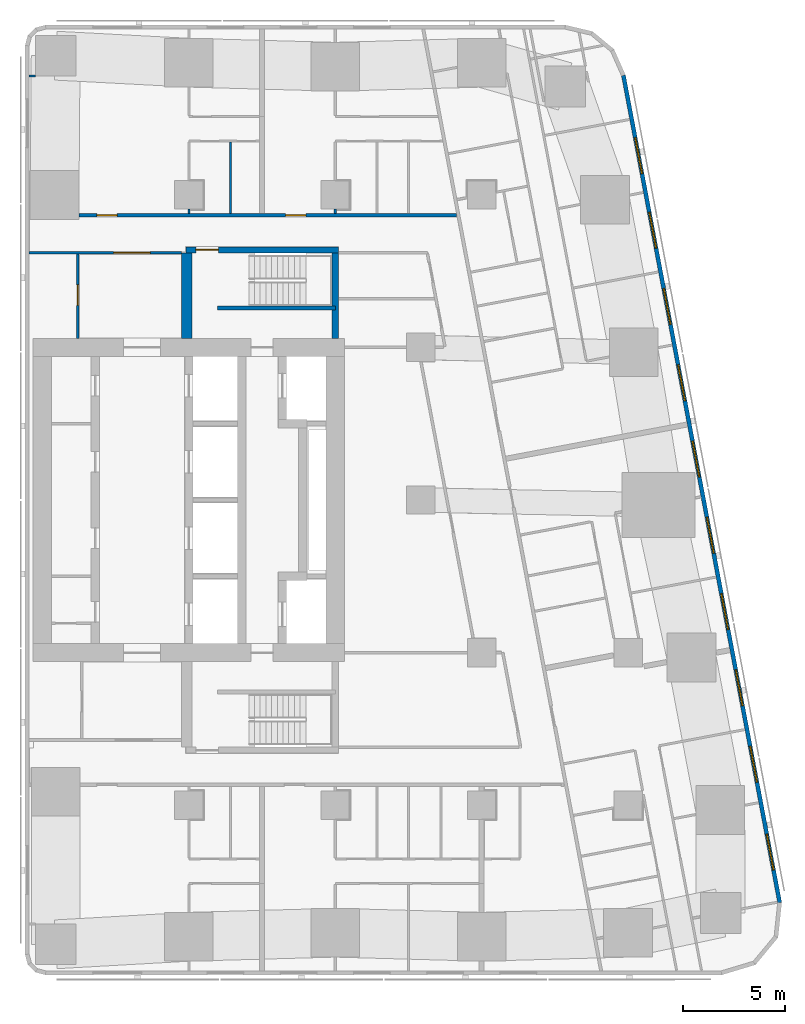
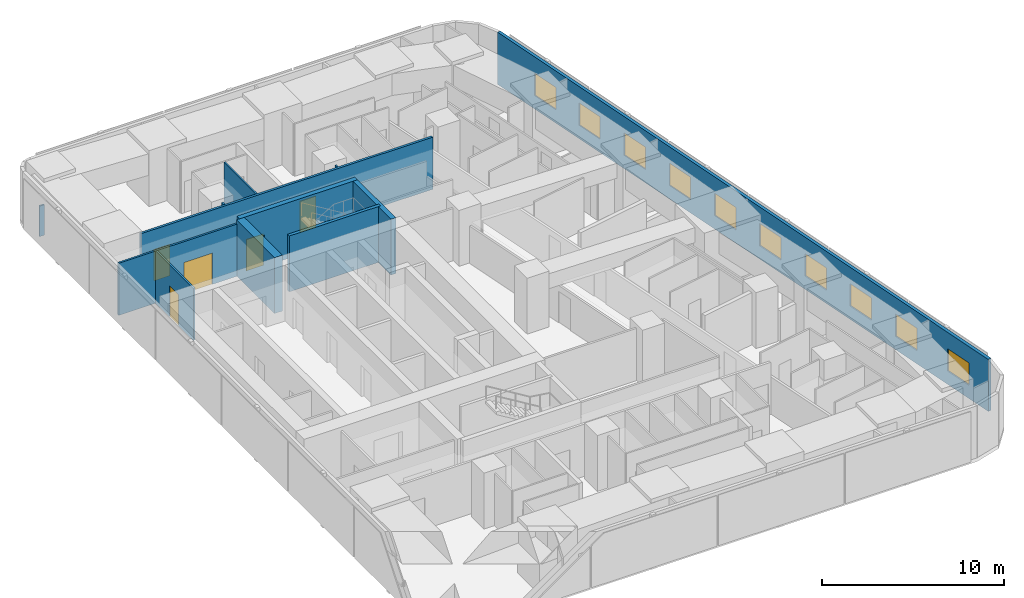
# One storey, part 6 of 10: 12 walls, 10 windows, 5 doors, 15 openings.
"""IFC4 building model written with IfcOpenShell, lengths in metres."""

from ifc_helpers import new_model, si_unit, direction, frame, frame_2d, origin, place, context, subcontext, project, spatial, rectangle, extrude, material, layer, layer_set, type_object, element, fill, save


model = new_model("IFC4")

# Units and contexts
model_context = context("Model", 3, precision=1e-05, world=origin(), true_north=direction((0.0, 1.0)))
body_context = subcontext(model_context, "Body", "Model", "MODEL_VIEW")
ifc_project = project(units=[si_unit("LENGTHUNIT", "METRE"), si_unit("AREAUNIT", "SQUARE_METRE"), si_unit("VOLUMEUNIT", "CUBIC_METRE"), si_unit("PLANEANGLEUNIT", "RADIAN"), si_unit("MASSUNIT", "GRAM", prefix="KILO")], contexts=[model_context])

# Site, building, storey
site_placement = place(None, origin())
site = spatial("IfcSite", under=ifc_project, at=site_placement, CompositionType="ELEMENT")
building_placement = place(site_placement, origin())
building = spatial("IfcBuilding", under=site, at=building_placement, Name="Sheger Commons Tower", CompositionType="ELEMENT")
storey_placement = place(building_placement, frame((0.0, 0.0, 231.199951171875)))
storey = spatial("IfcBuildingStorey", under=building, at=storey_placement, Name="L59", CompositionType="ELEMENT", Elevation=231.199951171875)

# Wall, openings, doors
ifc_material_1 = material(Name="Hollow concrete block masonry, skimmed both sides", Category="masonry")
ifc_layer_1 = layer(ifc_material_1, 0.14990234375)
ifc_layer_set_1 = layer_set([ifc_layer_1], Name="CORRIDOR WALL 150")
wall_type_1 = type_object("IfcWallType", Name="CORRIDOR WALL 150", PredefinedType="SOLIDWALL", material=ifc_layer_set_1)
wall_1_placement = place(storey_placement, frame((16.200927734375, 36.5, 0.0), z_axis=(0.0, 0.0, 1.0), x_axis=(1.0, 0.0, 0.0)))
wall_1 = element("IfcWall", 1, at=wall_1_placement, inside=storey, type_object=wall_type_1, Name="Corridor wall L59", PredefinedType="SOLIDWALL", context=body_context, shape_type="SweptSolid", body=[
    extrude(rectangle(XDim=18.56396484375, YDim=0.14990234375, at=frame_2d((9.281982421875, 0.0))), origin(), (0.0, 0.0, 1.0), 3.5),
])
opening_1_placement = place(wall_1_placement, frame((0.8740234375, 0.0, 0.0)))
opening_1 = element("IfcOpeningElement", 2, at=opening_1_placement, cuts=wall_1, Name="Opening D1", PredefinedType="OPENING", context=body_context, shape_type="SweptSolid", body=[
    extrude(rectangle(XDim=1.0, YDim=2.10009765625, at=frame_2d((0.5, 1.050048828125))), frame((0.0, 0.0849609375, 0.0), z_axis=(0.0, -1.0, 0.0), x_axis=(1.0, 0.0, 0.0)), (0.0, 0.0, 1.0), 0.169921875),
])
opening_2_placement = place(wall_1_placement, frame((10.156005859375, 0.0, 0.0)))
opening_2 = element("IfcOpeningElement", 3, at=opening_2_placement, cuts=wall_1, Name="Opening D1", PredefinedType="OPENING", context=body_context, shape_type="SweptSolid", body=[
    extrude(rectangle(XDim=1.0, YDim=2.10009765625, at=frame_2d((0.5, 1.050048828125))), frame((0.0, 0.0849609375, 0.0), z_axis=(0.0, -1.0, 0.0), x_axis=(1.0, 0.0, 0.0)), (0.0, 0.0, 1.0), 0.169921875),
])
ifc_material_2 = material(Name="Steel door set, fire rated", Category="steel")
door_type_1 = type_object("IfcDoorType", Name="FLAT ENTRANCE DOOR 1000x2100", OperationType="NOTDEFINED", PredefinedType="DOOR", material=ifc_material_2)
door_1_placement = place(opening_1_placement, origin())
door_1 = element("IfcDoor", 4, at=door_1_placement, inside=storey, type_object=door_type_1, Name="Flat entrance door", OperationType="SINGLE_SWING_LEFT", OverallHeight=2.10009765625, OverallWidth=1.0, PredefinedType="DOOR", context=body_context, shape_type="SweptSolid", body=[
    extrude(rectangle(XDim=1.0, YDim=2.10009765625, at=frame_2d((0.5, 1.050048828125))), frame((0.0, 0.02490234375, 0.0), z_axis=(0.0, -1.0, 0.0), x_axis=(1.0, 0.0, 0.0)), (0.0, 0.0, 1.0), 0.050048828125),
])
fill(opening_1, door_1)
door_2_placement = place(opening_2_placement, origin())
door_2 = element("IfcDoor", 5, at=door_2_placement, inside=storey, type_object=door_type_1, Name="Flat entrance door", OperationType="SINGLE_SWING_LEFT", OverallHeight=2.10009765625, OverallWidth=1.0, PredefinedType="DOOR", context=body_context, shape_type="SweptSolid", body=[
    extrude(rectangle(XDim=1.0, YDim=2.10009765625, at=frame_2d((0.5, 1.050048828125))), frame((0.0, 0.02490234375, 0.0), z_axis=(0.0, -1.0, 0.0), x_axis=(1.0, 0.0, 0.0)), (0.0, 0.0, 1.0), 0.050048828125),
])
fill(opening_2, door_2)

# Wall, openings, windows
ifc_material_3 = material(Name="Rendered concrete block masonry, dark grey", Category="masonry")
ifc_layer_2 = layer(ifc_material_3, 0.199951171875)
ifc_layer_set_2 = layer_set([ifc_layer_2], Name="FACADE WALL 200")
wall_type_2 = type_object("IfcWallType", Name="FACADE WALL 200", PredefinedType="SOLIDWALL", material=ifc_layer_set_2)
wall_2_placement = place(storey_placement, frame((50.653076171875, 2.702880859375, 0.0), z_axis=(0.0, 0.0, 1.0), x_axis=(-0.185612026696, 0.982623109613, 0.0)))
wall_2 = element("IfcWall", 6, at=wall_2_placement, inside=storey, type_object=wall_type_2, Name="Facade wall L59", PredefinedType="SOLIDWALL", context=body_context, shape_type="SweptSolid", body=[
    extrude(rectangle(XDim=41.393310546875, YDim=0.199951171875, at=frame_2d((20.69677734375, 0.0))), origin(), (0.0, 0.0, 1.0), 3.5),
])
opening_3_placement = place(wall_2_placement, frame((1.633056640625, 0.0, 0.89990234375)))
opening_3 = element("IfcOpeningElement", 7, at=opening_3_placement, cuts=wall_2, Name="Opening W2", PredefinedType="OPENING", context=body_context, shape_type="SweptSolid", body=[
    extrude(rectangle(XDim=1.800048828125, YDim=1.5, at=frame_2d((0.89990234375, 0.75))), frame((0.0, 0.10986328125, 0.0), z_axis=(0.0, -1.0, 0.0), x_axis=(1.0, 0.0, 0.0)), (0.0, 0.0, 1.0), 0.219970703125),
])
opening_4_placement = place(wall_2_placement, frame((6.031982421875, 0.0, 0.89990234375)))
opening_4 = element("IfcOpeningElement", 8, at=opening_4_placement, cuts=wall_2, Name="Opening W2", PredefinedType="OPENING", context=body_context, shape_type="SweptSolid", body=[
    extrude(rectangle(XDim=1.800048828125, YDim=1.5, at=frame_2d((0.89990234375, 0.75))), frame((0.0, 0.10986328125, 0.0), z_axis=(0.0, -1.0, 0.0), x_axis=(1.0, 0.0, 0.0)), (0.0, 0.0, 1.0), 0.219970703125),
])
opening_5_placement = place(wall_2_placement, frame((9.847900390625, 0.0, 0.89990234375)))
opening_5 = element("IfcOpeningElement", 9, at=opening_5_placement, cuts=wall_2, Name="Opening W2", PredefinedType="OPENING", context=body_context, shape_type="SweptSolid", body=[
    extrude(rectangle(XDim=1.800048828125, YDim=1.5, at=frame_2d((0.89990234375, 0.75))), frame((0.0, 0.10986328125, 0.0), z_axis=(0.0, -1.0, 0.0), x_axis=(1.0, 0.0, 0.0)), (0.0, 0.0, 1.0), 0.219970703125),
])
opening_6_placement = place(wall_2_placement, frame((13.6640625, 0.0, 0.89990234375)))
opening_6 = element("IfcOpeningElement", 10, at=opening_6_placement, cuts=wall_2, Name="Opening W2", PredefinedType="OPENING", context=body_context, shape_type="SweptSolid", body=[
    extrude(rectangle(XDim=1.800048828125, YDim=1.5, at=frame_2d((0.89990234375, 0.75))), frame((0.0, 0.10986328125, 0.0), z_axis=(0.0, -1.0, 0.0), x_axis=(1.0, 0.0, 0.0)), (0.0, 0.0, 1.0), 0.219970703125),
])
opening_7_placement = place(wall_2_placement, frame((17.48095703125, 0.0, 0.89990234375)))
opening_7 = element("IfcOpeningElement", 11, at=opening_7_placement, cuts=wall_2, Name="Opening W2", PredefinedType="OPENING", context=body_context, shape_type="SweptSolid", body=[
    extrude(rectangle(XDim=1.800048828125, YDim=1.5, at=frame_2d((0.89990234375, 0.75))), frame((0.0, 0.10986328125, 0.0), z_axis=(0.0, -1.0, 0.0), x_axis=(1.0, 0.0, 0.0)), (0.0, 0.0, 1.0), 0.219970703125),
])
opening_8_placement = place(wall_2_placement, frame((21.297119140625, 0.0, 0.89990234375)))
opening_8 = element("IfcOpeningElement", 12, at=opening_8_placement, cuts=wall_2, Name="Opening W2", PredefinedType="OPENING", context=body_context, shape_type="SweptSolid", body=[
    extrude(rectangle(XDim=1.800048828125, YDim=1.5, at=frame_2d((0.89990234375, 0.75))), frame((0.0, 0.10986328125, 0.0), z_axis=(0.0, -1.0, 0.0), x_axis=(1.0, 0.0, 0.0)), (0.0, 0.0, 1.0), 0.219970703125),
])
opening_9_placement = place(wall_2_placement, frame((25.113037109375, 0.0, 0.89990234375)))
opening_9 = element("IfcOpeningElement", 13, at=opening_9_placement, cuts=wall_2, Name="Opening W2", PredefinedType="OPENING", context=body_context, shape_type="SweptSolid", body=[
    extrude(rectangle(XDim=1.800048828125, YDim=1.5, at=frame_2d((0.89990234375, 0.75))), frame((0.0, 0.10986328125, 0.0), z_axis=(0.0, -1.0, 0.0), x_axis=(1.0, 0.0, 0.0)), (0.0, 0.0, 1.0), 0.219970703125),
])
opening_10_placement = place(wall_2_placement, frame((28.929931640625, 0.0, 0.89990234375)))
opening_10 = element("IfcOpeningElement", 14, at=opening_10_placement, cuts=wall_2, Name="Opening W2", PredefinedType="OPENING", context=body_context, shape_type="SweptSolid", body=[
    extrude(rectangle(XDim=1.800048828125, YDim=1.5, at=frame_2d((0.89990234375, 0.75))), frame((0.0, 0.10986328125, 0.0), z_axis=(0.0, -1.0, 0.0), x_axis=(1.0, 0.0, 0.0)), (0.0, 0.0, 1.0), 0.219970703125),
])
opening_11_placement = place(wall_2_placement, frame((32.74609375, 0.0, 0.89990234375)))
opening_11 = element("IfcOpeningElement", 15, at=opening_11_placement, cuts=wall_2, Name="Opening W2", PredefinedType="OPENING", context=body_context, shape_type="SweptSolid", body=[
    extrude(rectangle(XDim=1.800048828125, YDim=1.5, at=frame_2d((0.89990234375, 0.75))), frame((0.0, 0.10986328125, 0.0), z_axis=(0.0, -1.0, 0.0), x_axis=(1.0, 0.0, 0.0)), (0.0, 0.0, 1.0), 0.219970703125),
])
opening_12_placement = place(wall_2_placement, frame((36.48095703125, 0.0, 0.89990234375)))
opening_12 = element("IfcOpeningElement", 16, at=opening_12_placement, cuts=wall_2, Name="Opening W2", PredefinedType="OPENING", context=body_context, shape_type="SweptSolid", body=[
    extrude(rectangle(XDim=1.800048828125, YDim=1.5, at=frame_2d((0.89990234375, 0.75))), frame((0.0, 0.10986328125, 0.0), z_axis=(0.0, -1.0, 0.0), x_axis=(1.0, 0.0, 0.0)), (0.0, 0.0, 1.0), 0.219970703125),
])
ifc_material_4 = material(Name="Black aluminium frame, dark tinted double glazing", Category="aluminium")
window_type = type_object("IfcWindowType", Name="WINDOW W2 1800x1500", PartitioningType="SINGLE_PANEL", PredefinedType="WINDOW", material=ifc_material_4)
window_1_placement = place(opening_3_placement, origin())
window_1 = element("IfcWindow", 17, at=window_1_placement, inside=storey, type_object=window_type, Name="Window W2 1800X1500", OverallHeight=1.5, OverallWidth=1.800048828125, PartitioningType="SINGLE_PANEL", PredefinedType="WINDOW", context=body_context, shape_type="SweptSolid", body=[
    extrude(rectangle(XDim=1.800048828125, YDim=1.5, at=frame_2d((0.89990234375, 0.75))), frame((0.0, 0.030029296875, 0.0), z_axis=(0.0, -1.0, 0.0), x_axis=(1.0, 0.0, 0.0)), (0.0, 0.0, 1.0), 0.06005859375),
])
fill(opening_3, window_1)
window_2_placement = place(opening_4_placement, origin())
window_2 = element("IfcWindow", 18, at=window_2_placement, inside=storey, type_object=window_type, Name="Window W2 1800X1500", OverallHeight=1.5, OverallWidth=1.800048828125, PartitioningType="SINGLE_PANEL", PredefinedType="WINDOW", context=body_context, shape_type="SweptSolid", body=[
    extrude(rectangle(XDim=1.800048828125, YDim=1.5, at=frame_2d((0.89990234375, 0.75))), frame((0.0, 0.030029296875, 0.0), z_axis=(0.0, -1.0, 0.0), x_axis=(1.0, 0.0, 0.0)), (0.0, 0.0, 1.0), 0.06005859375),
])
fill(opening_4, window_2)
window_3_placement = place(opening_5_placement, origin())
window_3 = element("IfcWindow", 19, at=window_3_placement, inside=storey, type_object=window_type, Name="Window W2 1800X1500", OverallHeight=1.5, OverallWidth=1.800048828125, PartitioningType="SINGLE_PANEL", PredefinedType="WINDOW", context=body_context, shape_type="SweptSolid", body=[
    extrude(rectangle(XDim=1.800048828125, YDim=1.5, at=frame_2d((0.89990234375, 0.75))), frame((0.0, 0.030029296875, 0.0), z_axis=(0.0, -1.0, 0.0), x_axis=(1.0, 0.0, 0.0)), (0.0, 0.0, 1.0), 0.06005859375),
])
fill(opening_5, window_3)
window_4_placement = place(opening_6_placement, origin())
window_4 = element("IfcWindow", 20, at=window_4_placement, inside=storey, type_object=window_type, Name="Window W2 1800X1500", OverallHeight=1.5, OverallWidth=1.800048828125, PartitioningType="SINGLE_PANEL", PredefinedType="WINDOW", context=body_context, shape_type="SweptSolid", body=[
    extrude(rectangle(XDim=1.800048828125, YDim=1.5, at=frame_2d((0.89990234375, 0.75))), frame((0.0, 0.030029296875, 0.0), z_axis=(0.0, -1.0, 0.0), x_axis=(1.0, 0.0, 0.0)), (0.0, 0.0, 1.0), 0.06005859375),
])
fill(opening_6, window_4)
window_5_placement = place(opening_7_placement, origin())
window_5 = element("IfcWindow", 21, at=window_5_placement, inside=storey, type_object=window_type, Name="Window W2 1800X1500", OverallHeight=1.5, OverallWidth=1.800048828125, PartitioningType="SINGLE_PANEL", PredefinedType="WINDOW", context=body_context, shape_type="SweptSolid", body=[
    extrude(rectangle(XDim=1.800048828125, YDim=1.5, at=frame_2d((0.89990234375, 0.75))), frame((0.0, 0.030029296875, 0.0), z_axis=(0.0, -1.0, 0.0), x_axis=(1.0, 0.0, 0.0)), (0.0, 0.0, 1.0), 0.06005859375),
])
fill(opening_7, window_5)
window_6_placement = place(opening_8_placement, origin())
window_6 = element("IfcWindow", 22, at=window_6_placement, inside=storey, type_object=window_type, Name="Window W2 1800X1500", OverallHeight=1.5, OverallWidth=1.800048828125, PartitioningType="SINGLE_PANEL", PredefinedType="WINDOW", context=body_context, shape_type="SweptSolid", body=[
    extrude(rectangle(XDim=1.800048828125, YDim=1.5, at=frame_2d((0.89990234375, 0.75))), frame((0.0, 0.030029296875, 0.0), z_axis=(0.0, -1.0, 0.0), x_axis=(1.0, 0.0, 0.0)), (0.0, 0.0, 1.0), 0.06005859375),
])
fill(opening_8, window_6)
window_7_placement = place(opening_9_placement, origin())
window_7 = element("IfcWindow", 23, at=window_7_placement, inside=storey, type_object=window_type, Name="Window W2 1800X1500", OverallHeight=1.5, OverallWidth=1.800048828125, PartitioningType="SINGLE_PANEL", PredefinedType="WINDOW", context=body_context, shape_type="SweptSolid", body=[
    extrude(rectangle(XDim=1.800048828125, YDim=1.5, at=frame_2d((0.89990234375, 0.75))), frame((0.0, 0.030029296875, 0.0), z_axis=(0.0, -1.0, 0.0), x_axis=(1.0, 0.0, 0.0)), (0.0, 0.0, 1.0), 0.06005859375),
])
fill(opening_9, window_7)
window_8_placement = place(opening_10_placement, origin())
window_8 = element("IfcWindow", 24, at=window_8_placement, inside=storey, type_object=window_type, Name="Window W2 1800X1500", OverallHeight=1.5, OverallWidth=1.800048828125, PartitioningType="SINGLE_PANEL", PredefinedType="WINDOW", context=body_context, shape_type="SweptSolid", body=[
    extrude(rectangle(XDim=1.800048828125, YDim=1.5, at=frame_2d((0.89990234375, 0.75))), frame((0.0, 0.030029296875, 0.0), z_axis=(0.0, -1.0, 0.0), x_axis=(1.0, 0.0, 0.0)), (0.0, 0.0, 1.0), 0.06005859375),
])
fill(opening_10, window_8)
window_9_placement = place(opening_11_placement, origin())
window_9 = element("IfcWindow", 25, at=window_9_placement, inside=storey, type_object=window_type, Name="Window W2 1800X1500", OverallHeight=1.5, OverallWidth=1.800048828125, PartitioningType="SINGLE_PANEL", PredefinedType="WINDOW", context=body_context, shape_type="SweptSolid", body=[
    extrude(rectangle(XDim=1.800048828125, YDim=1.5, at=frame_2d((0.89990234375, 0.75))), frame((0.0, 0.030029296875, 0.0), z_axis=(0.0, -1.0, 0.0), x_axis=(1.0, 0.0, 0.0)), (0.0, 0.0, 1.0), 0.06005859375),
])
fill(opening_11, window_9)
window_10_placement = place(opening_12_placement, origin())
window_10 = element("IfcWindow", 26, at=window_10_placement, inside=storey, type_object=window_type, Name="Window W2 1800X1500", OverallHeight=1.5, OverallWidth=1.800048828125, PartitioningType="SINGLE_PANEL", PredefinedType="WINDOW", context=body_context, shape_type="SweptSolid", body=[
    extrude(rectangle(XDim=1.800048828125, YDim=1.5, at=frame_2d((0.89990234375, 0.75))), frame((0.0, 0.030029296875, 0.0), z_axis=(0.0, -1.0, 0.0), x_axis=(1.0, 0.0, 0.0)), (0.0, 0.0, 1.0), 0.06005859375),
])
fill(opening_12, window_10)

# Walls
ifc_material_5 = material(Name="Gypsum board on steel studs", Category="steel")
ifc_layer_3 = layer(ifc_material_5, 0.10009765625)
ifc_layer_set_3 = layer_set([ifc_layer_3], Name="PARTITION 100")
wall_type_3 = type_object("IfcWallType", Name="PARTITION 100", PredefinedType="PARTITIONING", material=ifc_layer_set_3)
wall_3_placement = place(storey_placement, frame((14.053955078125, 43.345947265625, 0.0), z_axis=(0.0, 0.0, 1.0), x_axis=(-1.0, 0.0, 0.0)))
element("IfcWall", 27, at=wall_3_placement, inside=storey, type_object=wall_type_3, Name="Partition L59", PredefinedType="PARTITIONING", context=body_context, shape_type="SweptSolid", body=[
    extrude(rectangle(XDim=0.303955078125, YDim=0.10009765625, at=frame_2d((0.15185546875, 0.0))), origin(), (0.0, 0.0, 1.0), 2.050048828125),
])
wall_4_placement = place(storey_placement, frame((21.60009765625, 36.574951171875, 0.0), z_axis=(0.0, 0.0, 1.0), x_axis=(0.0, 1.0, 0.0)))
element("IfcWall", 28, at=wall_4_placement, inside=storey, type_object=wall_type_3, Name="Partition L59", PredefinedType="PARTITIONING", context=body_context, shape_type="SweptSolid", body=[
    extrude(rectangle(XDim=0.22412109375, YDim=0.10009765625, at=frame_2d((0.112060546875, 0.0))), origin(), (0.0, 0.0, 1.0), 3.5),
])
wall_5_placement = place(storey_placement, frame((23.64990234375, 36.574951171875, 0.0), z_axis=(0.0, 0.0, 1.0), x_axis=(0.0, 1.0, 0.0)))
element("IfcWall", 29, at=wall_5_placement, inside=storey, type_object=wall_type_3, Name="Partition L59", PredefinedType="PARTITIONING", context=body_context, shape_type="SweptSolid", body=[
    extrude(rectangle(XDim=3.525146484375, YDim=0.10009765625, at=frame_2d((1.7626953125, 0.0))), origin(), (0.0, 0.0, 1.0), 3.5),
])
wall_6_placement = place(storey_placement, frame((28.800048828125, 36.574951171875, 0.0), z_axis=(0.0, 0.0, 1.0), x_axis=(0.0, 1.0, 0.0)))
element("IfcWall", 30, at=wall_6_placement, inside=storey, type_object=wall_type_3, Name="Partition L59", PredefinedType="PARTITIONING", context=body_context, shape_type="SweptSolid", body=[
    extrude(rectangle(XDim=0.22412109375, YDim=0.10009765625, at=frame_2d((0.112060546875, 0.0))), origin(), (0.0, 0.0, 1.0), 3.5),
])

# Wall, opening, door
ifc_material_6 = material(Name="Gypsum board on steel studs, two layers each side, fire rated", Category="steel")
ifc_layer_4 = layer(ifc_material_6, 0.125)
ifc_layer_set_4 = layer_set([ifc_layer_4], Name="SERVICE WALL 125")
wall_type_4 = type_object("IfcWallType", Name="SERVICE WALL 125", PredefinedType="PARTITIONING", material=ifc_layer_set_4)
wall_7_placement = place(storey_placement, frame((13.75, 34.64990234375, 0.0), z_axis=(0.0, 0.0, 1.0), x_axis=(1.0, 0.0, 0.0)))
wall_7 = element("IfcWall", 31, at=wall_7_placement, inside=storey, type_object=wall_type_4, Name="Service room wall L59", PredefinedType="PARTITIONING", context=body_context, shape_type="SweptSolid", body=[
    extrude(rectangle(XDim=7.5, YDim=0.125, at=frame_2d((3.75, 0.0))), origin(), (0.0, 0.0, 1.0), 3.5),
])
opening_13_placement = place(wall_7_placement, frame((4.14990234375, 0.0, 0.0)))
opening_13 = element("IfcOpeningElement", 32, at=opening_13_placement, cuts=wall_7, Name="Opening D6", PredefinedType="OPENING", context=body_context, shape_type="SweptSolid", body=[
    extrude(rectangle(XDim=1.800048828125, YDim=2.10009765625, at=frame_2d((0.89990234375, 1.050048828125))), frame((0.0, 0.072509765625, 0.0), z_axis=(0.0, -1.0, 0.0), x_axis=(1.0, 0.0, 0.0)), (0.0, 0.0, 1.0), 0.14501953125),
])
ifc_material_7 = material(Name="Steel door set, fire rated", Category="steel")
door_type_2 = type_object("IfcDoorType", Name="LOBBY DOUBLE DOOR 1800x2100", OperationType="DOUBLE_DOOR_SINGLE_SWING", PredefinedType="DOOR", material=ifc_material_7)
door_3_placement = place(opening_13_placement, origin())
door_3 = element("IfcDoor", 33, at=door_3_placement, inside=storey, type_object=door_type_2, Name="Lift lobby north door", OperationType="DOUBLE_DOOR_SINGLE_SWING", OverallHeight=2.10009765625, OverallWidth=1.800048828125, PredefinedType="DOOR", context=body_context, shape_type="SweptSolid", body=[
    extrude(rectangle(XDim=1.800048828125, YDim=2.10009765625, at=frame_2d((0.89990234375, 1.050048828125))), frame((0.0, 0.02490234375, 0.0), z_axis=(0.0, -1.0, 0.0), x_axis=(1.0, 0.0, 0.0)), (0.0, 0.0, 1.0), 0.050048828125),
])
fill(opening_13, door_3)

wall_8_placement = place(storey_placement, frame((16.14990234375, 30.449951171875, 0.0), z_axis=(0.0, 0.0, 1.0), x_axis=(0.0, 1.0, 0.0)))
wall_8 = element("IfcWall", 34, at=wall_8_placement, inside=storey, type_object=wall_type_4, Name="Service room wall L59", PredefinedType="PARTITIONING", context=body_context, shape_type="SweptSolid", body=[
    extrude(rectangle(XDim=4.136962890625, YDim=0.125, at=frame_2d((2.068359375, 0.0))), origin(), (0.0, 0.0, 1.0), 3.5),
])
opening_14_placement = place(wall_8_placement, frame((1.625, 0.0, 0.0)))
opening_14 = element("IfcOpeningElement", 35, at=opening_14_placement, cuts=wall_8, Name="Opening D4", PredefinedType="OPENING", context=body_context, shape_type="SweptSolid", body=[
    extrude(rectangle(XDim=1.0, YDim=2.10009765625, at=frame_2d((0.5, 1.050048828125))), frame((0.0, 0.072509765625, 0.0), z_axis=(0.0, -1.0, 0.0), x_axis=(1.0, 0.0, 0.0)), (0.0, 0.0, 1.0), 0.14501953125),
])
ifc_material_8 = material(Name="Steel door set, fire rated", Category="steel")
door_type_3 = type_object("IfcDoorType", Name="SERVICE DOOR 1000x2100", OperationType="NOTDEFINED", PredefinedType="DOOR", material=ifc_material_8)
door_4_placement = place(opening_14_placement, origin())
door_4 = element("IfcDoor", 36, at=door_4_placement, inside=storey, type_object=door_type_3, Name="Telecom room door", OperationType="SINGLE_SWING_RIGHT", OverallHeight=2.10009765625, OverallWidth=1.0, PredefinedType="DOOR", context=body_context, shape_type="SweptSolid", body=[
    extrude(rectangle(XDim=1.0, YDim=2.10009765625, at=frame_2d((0.5, 1.050048828125))), frame((0.0, 0.02490234375, 0.0), z_axis=(0.0, -1.0, 0.0), x_axis=(1.0, 0.0, 0.0)), (0.0, 0.0, 1.0), 0.050048828125),
])
fill(opening_14, door_4)

ifc_material_9 = material(Name="Concrete C50/60", Category="concrete")
ifc_layer_5 = layer(ifc_material_9, 0.300048828125)
ifc_layer_set_5 = layer_set([ifc_layer_5], Name="STAIR CORE WALL 300")
wall_type_5 = type_object("IfcWallType", Name="STAIR CORE WALL 300", PredefinedType="SHEAR", material=ifc_layer_set_5)
wall_9_placement = place(storey_placement, frame((21.449951171875, 34.800048828125, 0.0), z_axis=(0.0, 0.0, 1.0), x_axis=(1.0, 0.0, 0.0)))
wall_9 = element("IfcWall", 37, at=wall_9_placement, inside=storey, type_object=wall_type_5, Name="STW-L59-S2N", PredefinedType="SHEAR", context=body_context, shape_type="SweptSolid", body=[
    extrude(rectangle(XDim=7.5, YDim=0.300048828125, at=frame_2d((3.75, 0.0))), origin(), (0.0, 0.0, 1.0), 3.75),
])
opening_15_placement = place(wall_9_placement, frame((0.5, 0.0, 0.0)))
opening_15 = element("IfcOpeningElement", 38, at=opening_15_placement, cuts=wall_9, Name="Opening D5", PredefinedType="OPENING", context=body_context, shape_type="SweptSolid", body=[
    extrude(rectangle(XDim=1.10009765625, YDim=2.10009765625, at=frame_2d((0.550048828125, 1.050048828125))), frame((0.0, 0.159912109375, 0.0), z_axis=(0.0, -1.0, 0.0), x_axis=(1.0, 0.0, 0.0)), (0.0, 0.0, 1.0), 0.320068359375),
])
ifc_material_10 = material(Name="Steel door set, fire rated", Category="steel")
door_type_4 = type_object("IfcDoorType", Name="STAIR DOOR 1100x2100", OperationType="NOTDEFINED", PredefinedType="DOOR", material=ifc_material_10)
door_5_placement = place(opening_15_placement, origin())
door_5 = element("IfcDoor", 39, at=door_5_placement, inside=storey, type_object=door_type_4, Name="Stair S2 door", OperationType="SINGLE_SWING_RIGHT", OverallHeight=2.10009765625, OverallWidth=1.10009765625, PredefinedType="DOOR", context=body_context, shape_type="SweptSolid", body=[
    extrude(rectangle(XDim=1.10009765625, YDim=2.10009765625, at=frame_2d((0.550048828125, 1.050048828125))), frame((0.0, 0.02490234375, 0.0), z_axis=(0.0, -1.0, 0.0), x_axis=(1.0, 0.0, 0.0)), (0.0, 0.0, 1.0), 0.050048828125),
])
fill(opening_15, door_5)

# Walls
wall_10_placement = place(storey_placement, frame((28.800048828125, 30.449951171875, 0.0), z_axis=(0.0, 0.0, 1.0), x_axis=(0.0, 1.0, 0.0)))
element("IfcWall", 40, at=wall_10_placement, inside=storey, type_object=wall_type_5, Name="STW-L59-S2E", PredefinedType="SHEAR", context=body_context, shape_type="SweptSolid", body=[
    extrude(rectangle(XDim=4.199951171875, YDim=0.300048828125, at=frame_2d((2.10009765625, 0.0))), origin(), (0.0, 0.0, 1.0), 3.75),
])
ifc_material_11 = material(Name="Concrete C50/60", Category="concrete")
ifc_layer_6 = layer(ifc_material_11, 0.5)
ifc_layer_set_6 = layer_set([ifc_layer_6], Name="STAIR CORE WALL 500")
wall_type_6 = type_object("IfcWallType", Name="STAIR CORE WALL 500", PredefinedType="SHEAR", material=ifc_layer_set_6)
wall_11_placement = place(storey_placement, frame((21.5, 30.449951171875, 0.0), z_axis=(0.0, 0.0, 1.0), x_axis=(0.0, 1.0, 0.0)))
element("IfcWall", 41, at=wall_11_placement, inside=storey, type_object=wall_type_6, Name="STW-L59-S2W", PredefinedType="SHEAR", context=body_context, shape_type="SweptSolid", body=[
    extrude(rectangle(XDim=4.199951171875, YDim=0.5, at=frame_2d((2.10009765625, 0.0))), origin(), (0.0, 0.0, 1.0), 3.75),
])
ifc_material_12 = material(Name="Concrete C50/60", Category="concrete")
ifc_layer_7 = layer(ifc_material_12, 0.199951171875)
ifc_layer_set_7 = layer_set([ifc_layer_7], Name="STAIR SPINE WALL 200")
wall_type_7 = type_object("IfcWallType", Name="STAIR SPINE WALL 200", PredefinedType="SHEAR", material=ifc_layer_set_7)
wall_12_placement = place(storey_placement, frame((23.0, 31.949951171875, 0.0), z_axis=(0.0, 0.0, 1.0), x_axis=(1.0, 0.0, 0.0)))
element("IfcWall", 42, at=wall_12_placement, inside=storey, type_object=wall_type_7, Name="Stair spine wall L59", PredefinedType="SHEAR", context=body_context, shape_type="SweptSolid", body=[
    extrude(rectangle(XDim=5.800048828125, YDim=0.199951171875, at=frame_2d((2.89990234375, 0.0))), origin(), (0.0, 0.0, 1.0), 3.75),
])

save(model, "model.ifc")
